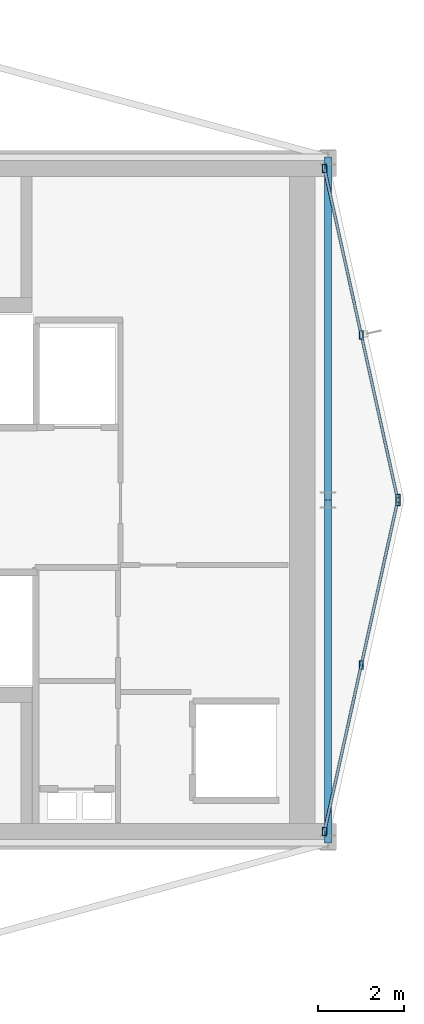
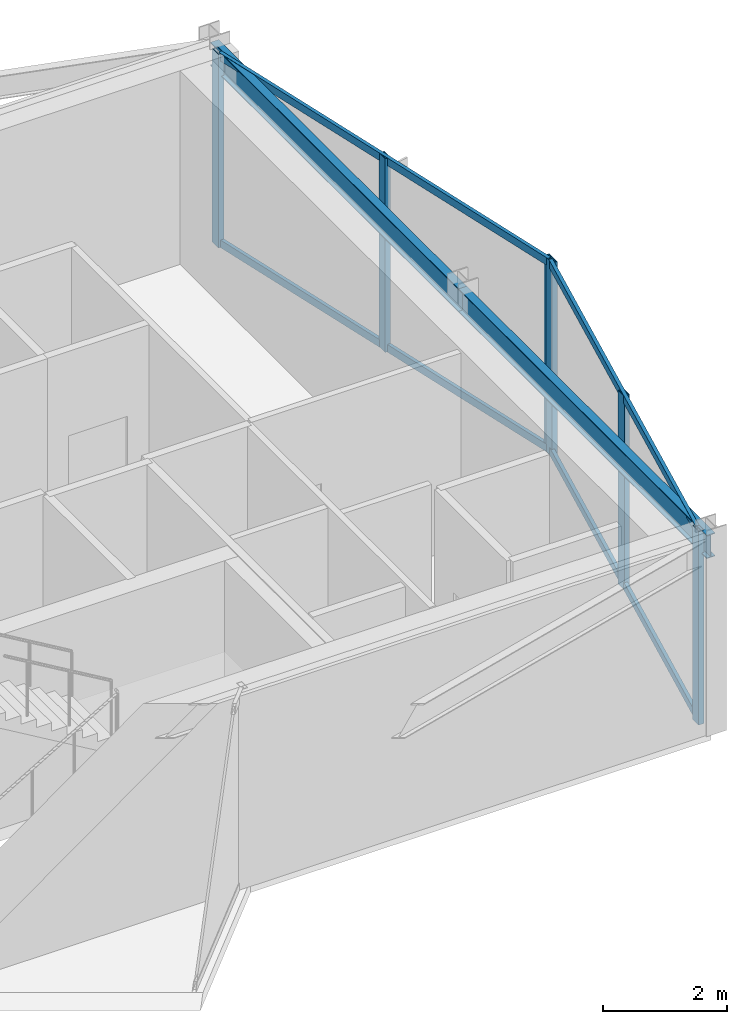
# One storey, part 7 of 14: 10 members, 2 beams, 2 elements without a shape of their own.
"""IFC4 building model written with IfcOpenShell, lengths in metres."""

from ifc_helpers import new_model, si_unit, direction, frame, origin, origin_2d, place, context, subcontext, project, spatial, hollow_rectangle, i_section, extrude, material, layer, layer_set, material_profile, profile_set, type_object, element, aggregate, save


model = new_model("IFC4")

# Units and contexts
model_context = context("Model", 3, precision=1e-05, world=origin(), true_north=direction((0.0, 1.0)))
body_context = subcontext(model_context, "Body", "Model", "MODEL_VIEW")
ifc_project = project(units=[si_unit("LENGTHUNIT", "METRE"), si_unit("AREAUNIT", "SQUARE_METRE"), si_unit("VOLUMEUNIT", "CUBIC_METRE"), si_unit("PLANEANGLEUNIT", "RADIAN"), si_unit("MASSUNIT", "GRAM", prefix="KILO")], contexts=[model_context])

# Site, building, storey
site_placement = place(None, origin())
site = spatial("IfcSite", under=ifc_project, at=site_placement, CompositionType="ELEMENT")
building_placement = place(site_placement, origin())
building = spatial("IfcBuilding", under=site, at=building_placement, Name="Veymaron Broadcast Tower", CompositionType="ELEMENT")
storey_placement = place(building_placement, frame((0.0, 0.0, 299.25)))
storey = spatial("IfcBuildingStorey", under=building, at=storey_placement, Name="L70", CompositionType="ELEMENT", Elevation=299.25)

# Beams
ifc_material_1 = material(Name="Structural steel ASTM A992 Gr 50", Category="steel")
ifc_material_profile_1 = material_profile(ifc_material_1, i_section(OverallWidth=0.154052734375, OverallDepth=0.458984375, WebThickness=0.009033203125, FlangeThickness=0.015380859375, at=origin_2d()), Name="W460X68")
ifc_profile_set_1 = profile_set([ifc_material_profile_1], Name="Structural steel ASTM A992 Gr 50")
beam_type = type_object("IfcBeamType", Name="BM-SP2", PredefinedType="SPANDREL", material=ifc_profile_set_1)
for number, where, z_axis, x_axis, name in (
    (1, (54.60009765625, 16.0, 3.58056640625), (0.0, 1.0, 0.0), (-1.0, 0.0, 0.0), "L70 primary structural floor girder"),
    (2, (54.60009765625, 24.0, 3.58056640625), (0.0, 1.0, 0.0), (-1.0, 0.0, 0.0), "L70 primary structural floor girder"),
):
    element("IfcBeam", number, at=place(storey_placement, frame(where, z_axis=z_axis, x_axis=x_axis)), inside=storey, type_object=beam_type, Name=name, PredefinedType="SPANDREL", context=body_context, shape_type="SweptSolid", body=[
        extrude(i_section(OverallWidth=0.154052734375, OverallDepth=0.458984375, WebThickness=0.009033203125, FlangeThickness=0.015380859375, at=origin_2d()), origin(), (0.0, 0.0, 1.0), 8.0),
    ])

# Curtain wall, members
ifc_material_2 = material(Name="Anodised aluminium AA 6063-T6 and laminated low-E dark glass", Category="aluminium")
ifc_layer = layer(ifc_material_2, 0.179931640625)
ifc_layer_set = layer_set([ifc_layer], Name="Anodised aluminium AA 6063-T6 and laminated low-E dark glass")
curtain_wall_type = type_object("IfcCurtainWallType", Name="CW-SYS-06", PredefinedType="NOTDEFINED", material=ifc_layer_set)
curtain_wall_1_placement = place(storey_placement, origin())
curtain_wall_1 = element("IfcCurtainWall", 3, at=curtain_wall_1_placement, inside=storey, type_object=curtain_wall_type, Name="L70 dark-glass curtain wall CW-L70-E2-1", PredefinedType="NOTDEFINED")
ifc_material_3 = material(Name="Anodised aluminium AA 6063-T6", Category="aluminium")
ifc_material_profile_2 = material_profile(ifc_material_3, hollow_rectangle(XDim=0.10009765625, YDim=0.199951171875, WallThickness=0.010009765625, at=origin_2d()), Name="RHS200X100X10")
ifc_profile_set_2 = profile_set([ifc_material_profile_2], Name="Anodised aluminium AA 6063-T6")
member_type_1 = type_object("IfcMemberType", Name="CW-MUL-01", PredefinedType="MULLION", material=ifc_profile_set_2)
member_1_placement = place(storey_placement, frame((54.514892578125, 16.2626953125, 0.0), z_axis=(0.0, 0.0, 1.0), x_axis=(1.0, 0.0, 0.0)))
member_1 = element("IfcMember", 4, at=member_1_placement, type_object=member_type_1, Name="CW-L70-E2-1 mullion 0", PredefinedType="MULLION", context=body_context, shape_type="SweptSolid", body=[
    extrude(hollow_rectangle(XDim=0.10009765625, YDim=0.199951171875, WallThickness=0.010009765625, at=origin_2d()), origin(), (0.0, 0.0, 1.0), 3.81005859375),
])
member_2_placement = place(storey_placement, frame((55.375244140625, 20.146484375, 0.0), z_axis=(0.0, 0.0, 1.0), x_axis=(1.0, 0.0, 0.0)))
member_2 = element("IfcMember", 5, at=member_2_placement, type_object=member_type_1, Name="CW-L70-E2-1 mullion 1", PredefinedType="MULLION", context=body_context, shape_type="SweptSolid", body=[
    extrude(hollow_rectangle(XDim=0.10009765625, YDim=0.199951171875, WallThickness=0.010009765625, at=origin_2d()), origin(), (0.0, 0.0, 1.0), 3.81005859375),
])
member_3_placement = place(storey_placement, frame((56.235595703125, 24.0302734375, 0.0), z_axis=(0.0, 0.0, 1.0), x_axis=(1.0, 0.0, 0.0)))
member_3 = element("IfcMember", 6, at=member_3_placement, type_object=member_type_1, Name="CW-L70-E2-1 mullion 2", PredefinedType="MULLION", context=body_context, shape_type="SweptSolid", body=[
    extrude(hollow_rectangle(XDim=0.10009765625, YDim=0.199951171875, WallThickness=0.010009765625, at=origin_2d()), origin(), (0.0, 0.0, 1.0), 3.81005859375),
])

curtain_wall_2_placement = place(storey_placement, origin())
curtain_wall_2 = element("IfcCurtainWall", 7, at=curtain_wall_2_placement, inside=storey, type_object=curtain_wall_type, Name="L70 dark-glass curtain wall CW-L70-E3-1", PredefinedType="NOTDEFINED")
member_4_placement = place(storey_placement, frame((56.235595703125, 23.9697265625, 0.0), z_axis=(0.0, 0.0, 1.0), x_axis=(1.0, 0.0, 0.0)))
member_4 = element("IfcMember", 8, at=member_4_placement, type_object=member_type_1, Name="CW-L70-E3-1 mullion 0", PredefinedType="MULLION", context=body_context, shape_type="SweptSolid", body=[
    extrude(hollow_rectangle(XDim=0.10009765625, YDim=0.199951171875, WallThickness=0.010009765625, at=origin_2d()), origin(), (0.0, 0.0, 1.0), 3.81005859375),
])
member_5_placement = place(storey_placement, frame((55.375244140625, 27.853515625, 0.0), z_axis=(0.0, 0.0, 1.0), x_axis=(1.0, 0.0, 0.0)))
member_5 = element("IfcMember", 9, at=member_5_placement, type_object=member_type_1, Name="CW-L70-E3-1 mullion 1", PredefinedType="MULLION", context=body_context, shape_type="SweptSolid", body=[
    extrude(hollow_rectangle(XDim=0.10009765625, YDim=0.199951171875, WallThickness=0.010009765625, at=origin_2d()), origin(), (0.0, 0.0, 1.0), 3.81005859375),
])
member_6_placement = place(storey_placement, frame((54.514892578125, 31.7373046875, 0.0), z_axis=(0.0, 0.0, 1.0), x_axis=(1.0, 0.0, 0.0)))
member_6 = element("IfcMember", 10, at=member_6_placement, type_object=member_type_1, Name="CW-L70-E3-1 mullion 2", PredefinedType="MULLION", context=body_context, shape_type="SweptSolid", body=[
    extrude(hollow_rectangle(XDim=0.10009765625, YDim=0.199951171875, WallThickness=0.010009765625, at=origin_2d()), origin(), (0.0, 0.0, 1.0), 3.81005859375),
])

# Member
ifc_material_profile_3 = material_profile(ifc_material_3, hollow_rectangle(XDim=0.06494140625, YDim=0.14990234375, WallThickness=0.00390625, at=origin_2d()), Name="AL150X65X4")
ifc_profile_set_3 = profile_set([ifc_material_profile_3], Name="Anodised aluminium AA 6063-T6")
member_type_2 = type_object("IfcMemberType", Name="CW-TRN-01", PredefinedType="USERDEFINED", material=ifc_profile_set_3)
member_7_placement = place(storey_placement, frame((54.525634765625, 16.311279296875, 0.070068359375), z_axis=(0.216292064675, 0.976328706307, 0.0), x_axis=(-0.976328706307, 0.216292064675, 0.0)))
member_7 = element("IfcMember", 11, at=member_7_placement, type_object=member_type_2, Name="CW-L70-E2-1 transom B", ObjectType="TRANSOM", PredefinedType="USERDEFINED", context=body_context, shape_type="SweptSolid", body=[
    extrude(hollow_rectangle(XDim=0.06494140625, YDim=0.14990234375, WallThickness=0.00390625, at=origin_2d()), origin(), (0.0, 0.0, 1.0), 7.856201171875),
])

member_8_placement = place(storey_placement, frame((54.525634765625, 16.311279296875, 3.739990234375), z_axis=(0.216292064675, 0.976328706307, 0.0), x_axis=(-0.976328706307, 0.216292064675, 0.0)))
member_8 = element("IfcMember", 12, at=member_8_placement, type_object=member_type_2, Name="CW-L70-E2-1 transom T", ObjectType="TRANSOM", PredefinedType="USERDEFINED", context=body_context, shape_type="SweptSolid", body=[
    extrude(hollow_rectangle(XDim=0.06494140625, YDim=0.14990234375, WallThickness=0.00390625, at=origin_2d()), origin(), (0.0, 0.0, 1.0), 7.856201171875),
])

aggregate(curtain_wall_1, [member_1, member_2, member_3, member_7, member_8])

member_9_placement = place(storey_placement, frame((56.224853515625, 24.0185546875, 0.070068359375), z_axis=(-0.216292064675, 0.976328706307, 0.0), x_axis=(-0.976328706307, -0.216292064675, 0.0)))
member_9 = element("IfcMember", 13, at=member_9_placement, type_object=member_type_2, Name="CW-L70-E3-1 transom B", ObjectType="TRANSOM", PredefinedType="USERDEFINED", context=body_context, shape_type="SweptSolid", body=[
    extrude(hollow_rectangle(XDim=0.06494140625, YDim=0.14990234375, WallThickness=0.00390625, at=origin_2d()), origin(), (0.0, 0.0, 1.0), 7.856201171875),
])

member_10_placement = place(storey_placement, frame((56.224853515625, 24.0185546875, 3.739990234375), z_axis=(-0.216292064675, 0.976328706307, 0.0), x_axis=(-0.976328706307, -0.216292064675, 0.0)))
member_10 = element("IfcMember", 14, at=member_10_placement, type_object=member_type_2, Name="CW-L70-E3-1 transom T", ObjectType="TRANSOM", PredefinedType="USERDEFINED", context=body_context, shape_type="SweptSolid", body=[
    extrude(hollow_rectangle(XDim=0.06494140625, YDim=0.14990234375, WallThickness=0.00390625, at=origin_2d()), origin(), (0.0, 0.0, 1.0), 7.856201171875),
])

aggregate(curtain_wall_2, [member_4, member_5, member_6, member_9, member_10])

save(model, "model.ifc")
